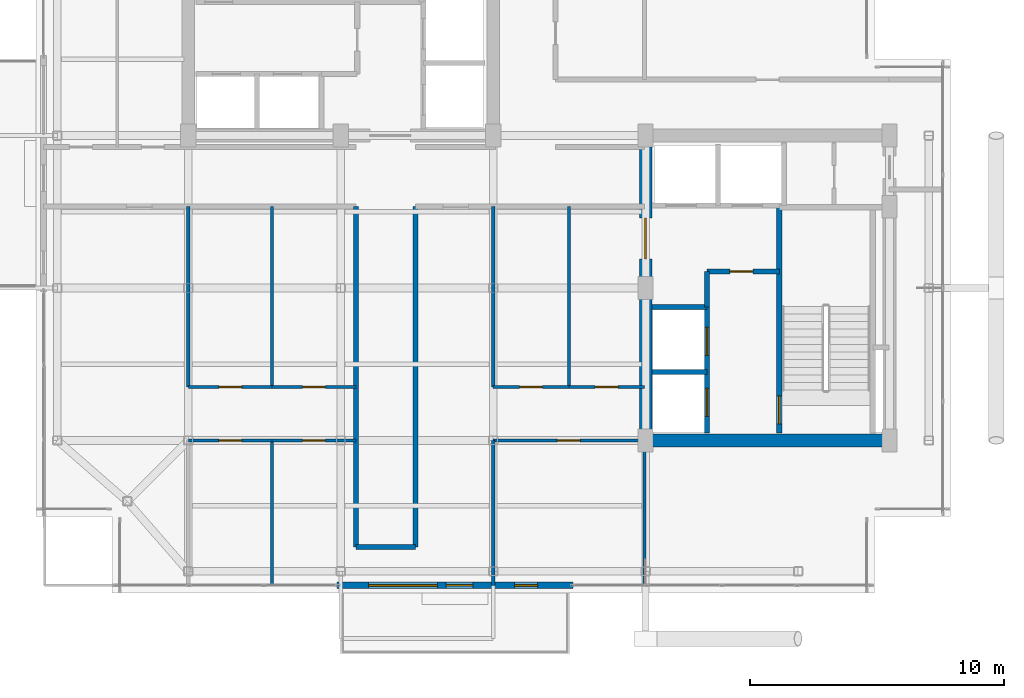
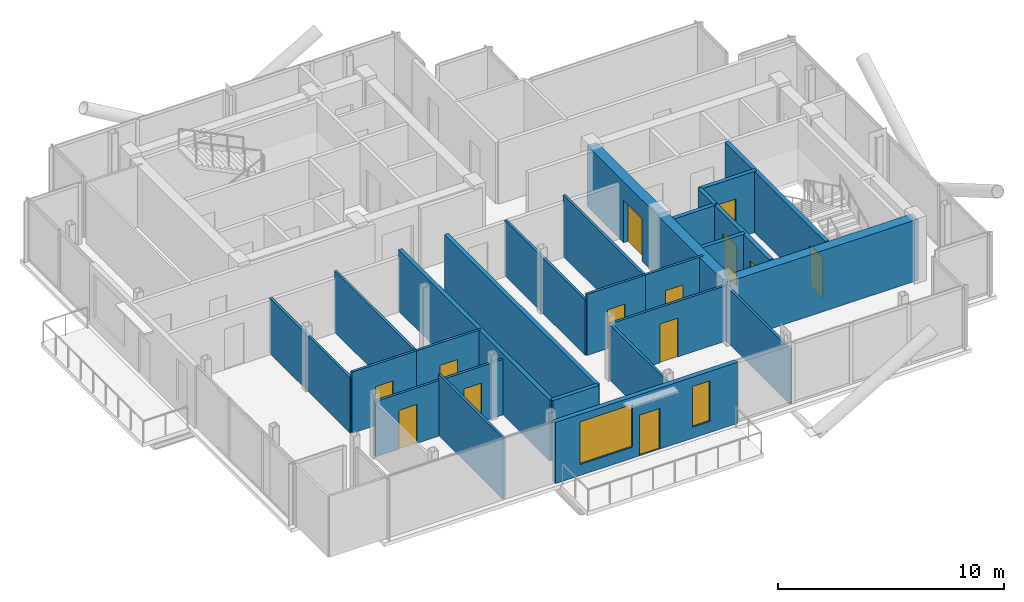
# One storey, part 14 of 18: 26 walls, 13 doors, 2 windows, 15 openings.
"""IFC4 building model written with IfcOpenShell, lengths in metres."""

import ifcopenshell
import ifcopenshell.guid

model = None  # the IFC model being written
_history = None  # IfcOwnerHistory: only IFC2X3 demands one
_inside = {}  # id of a spatial element -> (the spatial element, [elements in it])
_under = {}  # id of a project, library or spatial element -> (it, [spatial elements below it])
_declared = {}  # id of a project -> (the project, [libraries it declares])
_typed = {}  # id of a type object -> (the type object, [elements of that type])
_made_of = {}  # id of a material, layer set ... -> (it, [elements and type objects made of it])


def new_model(schema):
    """Start an empty IFC model of exactly this schema.

    Asked for "IFC4X3", IfcOpenShell would pick the latest addendum, in which some entities
    have other attributes; the version numbers below select the first issue.
    IFC2X3 requires an IfcOwnerHistory on every rooted entity: one is made here for all.
    """
    global model, _history
    if schema == "IFC4X3":
        model = ifcopenshell.file(schema_version=(4, 3, 0, 0))
    else:
        model = ifcopenshell.file(schema=schema)
    _inside.clear()
    _under.clear()
    _declared.clear()
    _typed.clear()
    _made_of.clear()
    _history = None
    if model.schema == "IFC2X3":
        org = make("IfcOrganization", Name="unknown")
        user = make(
            "IfcPersonAndOrganization",
            ThePerson=make("IfcPerson", FamilyName="unknown"),
            TheOrganization=org,
        )
        app = make(
            "IfcApplication",
            ApplicationDeveloper=org,
            Version="unknown",
            ApplicationFullName="unknown",
            ApplicationIdentifier="unknown",
        )
        _history = make(
            "IfcOwnerHistory",
            OwningUser=user,
            OwningApplication=app,
            ChangeAction="ADDED",
            CreationDate=0,
        )
    return model


def make(cls, **values):
    """One entity of the class cls with the attributes given. An attribute that is None is left unset."""
    return model.create_entity(
        cls, **{name: value for name, value in values.items() if value is not None}
    )


def rooted(cls, **values):
    """An entity with a GlobalId (a new one), such as an element, a storey or a relation."""
    return make(cls, GlobalId=ifcopenshell.guid.new(), OwnerHistory=_history, **values)


def si_unit(unit_type, name, prefix=None):
    """IfcSIUnit, for example si_unit("LENGTHUNIT", "METRE", prefix="MILLI")."""
    return make("IfcSIUnit", UnitType=unit_type, Prefix=prefix, Name=name)


def assignment(units):
    """IfcUnitAssignment: the units of a project."""
    return None if units is None else make("IfcUnitAssignment", Units=units)


def point(xyz):
    """IfcCartesianPoint."""
    return None if xyz is None else make("IfcCartesianPoint", Coordinates=xyz)


def direction(xyz):
    """IfcDirection."""
    return None if xyz is None else make("IfcDirection", DirectionRatios=xyz)


def frame(location, z_axis=None, x_axis=None):
    """IfcAxis2Placement3D, a coordinate frame: its origin and axes. An axis left out is left unset."""
    return make(
        "IfcAxis2Placement3D",
        Location=point(location),
        Axis=direction(z_axis),
        RefDirection=direction(x_axis),
    )


def frame_2d(location, x_axis=None):
    """IfcAxis2Placement2D, a coordinate frame in the plane: its origin and x axis."""
    return make(
        "IfcAxis2Placement2D", Location=point(location), RefDirection=direction(x_axis)
    )


def origin():
    """The frame at (0, 0, 0) with its axes left unset."""
    return frame((0.0, 0.0, 0.0))


def place(relative_to, where):
    """IfcLocalPlacement: puts the frame where relative to a parent placement (None: the world)."""
    return make(
        "IfcLocalPlacement", PlacementRelTo=relative_to, RelativePlacement=where
    )


def context(
    kind, dimensions, precision=None, world=None, true_north=None, identifier=None
):
    """IfcGeometricRepresentationContext, for example the 3D "Model" context."""
    return make(
        "IfcGeometricRepresentationContext",
        ContextIdentifier=identifier,
        ContextType=kind,
        CoordinateSpaceDimension=dimensions,
        Precision=precision,
        WorldCoordinateSystem=world,
        TrueNorth=true_north,
    )


def subcontext(parent, identifier, kind, view, scale=None):
    """IfcGeometricRepresentationSubContext, for example "Body" below "Model"."""
    return make(
        "IfcGeometricRepresentationSubContext",
        ContextIdentifier=identifier,
        ContextType=kind,
        ParentContext=parent,
        TargetScale=scale,
        TargetView=view,
    )


def project(units=None, contexts=None):
    """IfcProject with its units and contexts."""
    return rooted(
        "IfcProject",
        Name="project",
        RepresentationContexts=contexts,
        UnitsInContext=assignment(units),
    )


def spatial(cls, under=None, at=None, **own):
    """A site, building, storey or space (cls), placed at a placement, below another one or the project."""
    s = rooted(cls, ObjectPlacement=at, **own)
    if under is not None:
        _under.setdefault(under.id(), (under, []))[1].append(s)
    return s


def profile(cls, at=None, kind="AREA", **sizes):
    """A parametric profile (cls). Its sizes go by their IFC names, for example OverallWidth=200.0."""
    return make(cls, ProfileType=kind, Position=at, **sizes)


def rectangle(**sizes):
    """IfcRectangleProfileDef."""
    return profile("IfcRectangleProfileDef", **sizes)


def extrude(swept, where, along, depth):
    """IfcExtrudedAreaSolid: the profile swept, set in the frame where, extruded along a direction by depth."""
    return make(
        "IfcExtrudedAreaSolid",
        SweptArea=swept,
        Position=where,
        ExtrudedDirection=direction(along),
        Depth=depth,
    )


def shape(context_of_items, identifier, shape_type, items):
    """IfcShapeRepresentation: the items that make up one representation, for example the "Body"."""
    return make(
        "IfcShapeRepresentation",
        ContextOfItems=context_of_items,
        RepresentationIdentifier=identifier,
        RepresentationType=shape_type,
        Items=items,
    )


def material(Name=None, Category=None):
    """IfcMaterial."""
    return make("IfcMaterial", Name=Name, Category=Category)


def layer(
    of_material, thickness, ventilated=None, Name=None, Category=None, Priority=None
):
    """IfcMaterialLayer: one layer of a wall or slab, of a material (None: an air gap)."""
    return make(
        "IfcMaterialLayer",
        Material=of_material,
        LayerThickness=thickness,
        IsVentilated=ventilated,
        Name=Name,
        Category=Category,
        Priority=Priority,
    )


def layer_set(layers, Name=None):
    """IfcMaterialLayerSet."""
    return make("IfcMaterialLayerSet", MaterialLayers=layers, LayerSetName=Name)


def made_of(thing, what):
    """Note that an element or type object is made of a material, layer set ...; save() writes the relation."""
    if what is not None:
        _made_of.setdefault(what.id(), (what, []))[1].append(thing)
    return thing


def type_object(cls, material=None, **own):
    """A type object (cls), such as IfcWallType, which elements share."""
    return made_of(rooted(cls, **own), material)


def element(
    cls,
    number,
    at=None,
    inside=None,
    cuts=None,
    type_object=None,
    material=None,
    context=None,
    identifier="Body",
    shape_type=None,
    held_by="IfcProductDefinitionShape",
    body=None,
    shapes=None,
    **own,
):
    """One element of the class cls, such as IfcWall. Its Tag is "e" and its number.

    at: its placement. inside: the storey or other place that contains it. cuts: it is an
    opening in that element (IfcRelVoidsElement). A single representation is given by context,
    identifier, shape_type and body (its items); several are given by shapes. held_by: the class
    of the entity that holds the representations. save() writes the other relations.
    """
    e = rooted(cls, Tag="e%d" % number, ObjectPlacement=at, **own)
    if body is not None:
        shapes = [shape(context, identifier, shape_type, body)]
    if shapes is not None:
        e.Representation = make(held_by, Representations=shapes)
    if inside is not None:
        _inside.setdefault(inside.id(), (inside, []))[1].append(e)
    if cuts is not None:
        rooted(
            "IfcRelVoidsElement", RelatingBuildingElement=cuts, RelatedOpeningElement=e
        )
    if type_object is not None:
        _typed.setdefault(type_object.id(), (type_object, []))[1].append(e)
    return made_of(e, material)


def fill(opening, filler):
    """IfcRelFillsElement: the door or window that sits in an opening."""
    return rooted(
        "IfcRelFillsElement",
        RelatingOpeningElement=opening,
        RelatedBuildingElement=filler,
    )


def aggregate(whole, parts):
    """IfcRelAggregates: a whole, such as a stair, and the parts it consists of."""
    return rooted("IfcRelAggregates", RelatingObject=whole, RelatedObjects=parts)


def save(model, path):
    """Write the relations noted so far, then the file.

    IfcRelAggregates (storeys below a building ...), IfcRelContainedInSpatialStructure (elements
    in a storey), IfcRelDefinesByType, IfcRelAssociatesMaterial and IfcRelDeclares: one each for
    every whole, place, type object, material and project.
    """
    for whole, parts in _under.values():
        aggregate(whole, parts)
    for where, things in _inside.values():
        rooted(
            "IfcRelContainedInSpatialStructure",
            RelatedElements=things,
            RelatingStructure=where,
        )
    for kind, things in _typed.values():
        rooted("IfcRelDefinesByType", RelatedObjects=things, RelatingType=kind)
    for what, things in _made_of.values():
        rooted("IfcRelAssociatesMaterial", RelatedObjects=things, RelatingMaterial=what)
    for by, libraries in _declared.values():
        rooted("IfcRelDeclares", RelatingContext=by, RelatedDefinitions=libraries)
    model.write(path)


model = new_model("IFC4")

# Units and contexts
model_context = context("Model", 3, precision=1e-05, world=origin(), true_north=direction((0.0, 1.0)))
body_context = subcontext(model_context, "Body", "Model", "MODEL_VIEW")
ifc_project = project(units=[si_unit("LENGTHUNIT", "METRE"), si_unit("AREAUNIT", "SQUARE_METRE"), si_unit("VOLUMEUNIT", "CUBIC_METRE"), si_unit("PLANEANGLEUNIT", "RADIAN"), si_unit("MASSUNIT", "GRAM", prefix="KILO"), si_unit("THERMODYNAMICTEMPERATUREUNIT", "KELVIN"), si_unit("POWERUNIT", "WATT")], contexts=[model_context])

# Site, building, storey
site_placement = place(None, origin())
site = spatial("IfcSite", under=ifc_project, at=site_placement, CompositionType="ELEMENT")
building_placement = place(site_placement, origin())
building = spatial("IfcBuilding", under=site, at=building_placement, Name="Svarakhadi Broadcast Tower", CompositionType="ELEMENT")
storey_placement = place(building_placement, frame((0.0, 0.0, 253.699951171875)))
storey = spatial("IfcBuildingStorey", under=building, at=storey_placement, Name="L63", CompositionType="ELEMENT", Elevation=253.699951171875)

# Wall, openings, door, windows
ifc_material_1 = material(Name="Concrete C40/50 (IS 456 M50)", Category="concrete")
ifc_layer_1 = layer(ifc_material_1, 0.239990234375)
ifc_layer_set_1 = layer_set([ifc_layer_1], Name="Concrete C40/50 (IS 456 M50)")
wall_type_1 = type_object("IfcWallType", Name="Wall_Ext_240", PredefinedType="SOLIDWALL", material=ifc_layer_set_1)
wall_1_placement = place(storey_placement, frame((21.14501953125, 0.300048828125, 0.0), z_axis=(0.0, 0.0, 1.0), x_axis=(-1.0, 0.0, 0.0)))
wall_1 = element("IfcWall", 1, at=wall_1_placement, inside=storey, type_object=wall_type_1, Name="L63 South Tree Balcony Spandrel Wall", PredefinedType="SOLIDWALL", context=body_context, shape_type="SweptSolid", body=[
    extrude(rectangle(XDim=9.2900390625, YDim=0.239990234375, at=frame_2d((4.64501953125, 0.0))), origin(), (0.0, 0.0, 1.0), 3.300048828125),
])
opening_1_placement = place(wall_1_placement, frame((3.945068359375, 0.0, 0.0)))
opening_1 = element("IfcOpeningElement", 2, at=opening_1_placement, cuts=wall_1, Name="Opening ED-05", PredefinedType="OPENING", context=body_context, shape_type="SweptSolid", body=[
    extrude(rectangle(XDim=1.050048828125, YDim=2.199951171875, at=frame_2d((0.52490234375, 1.10009765625))), frame((0.0, 0.1298828125, 0.0), z_axis=(0.0, -1.0, 0.0), x_axis=(1.0, 0.0, 0.0)), (0.0, 0.0, 1.0), 0.260009765625),
])
opening_2_placement = place(wall_1_placement, frame((5.344970703125, 0.0, 0.60009765625)))
opening_2 = element("IfcOpeningElement", 3, at=opening_2_placement, cuts=wall_1, Name="Opening WN-07", PredefinedType="OPENING", context=body_context, shape_type="SweptSolid", body=[
    extrude(rectangle(XDim=2.699951171875, YDim=2.300048828125, at=frame_2d((1.35009765625, 1.14990234375))), frame((0.0, 0.1298828125, 0.0), z_axis=(0.0, -1.0, 0.0), x_axis=(1.0, 0.0, 0.0)), (0.0, 0.0, 1.0), 0.260009765625),
])
opening_3_placement = place(wall_1_placement, frame((1.39990234375, 0.0, 0.60009765625)))
opening_3 = element("IfcOpeningElement", 4, at=opening_3_placement, cuts=wall_1, Name="Opening WN-04", PredefinedType="OPENING", context=body_context, shape_type="SweptSolid", body=[
    extrude(rectangle(XDim=0.89990234375, YDim=2.199951171875, at=frame_2d((0.449951171875, 1.10009765625))), frame((0.0, 0.1298828125, 0.0), z_axis=(0.0, -1.0, 0.0), x_axis=(1.0, 0.0, 0.0)), (0.0, 0.0, 1.0), 0.260009765625),
])
ifc_material_2 = material(Name="Anodised Bronze Aluminium AA 6063-T6", Category="aluminium")
door_type_1 = type_object("IfcDoorType", Name="Door_Ext_ED05", OperationType="SINGLE_SWING_LEFT", PredefinedType="DOOR", material=ifc_material_2)
door_1_placement = place(opening_1_placement, origin())
door_1 = element("IfcDoor", 5, at=door_1_placement, inside=storey, type_object=door_type_1, Name="L63 South Tree Balcony Door", OperationType="SINGLE_SWING_LEFT", OverallHeight=2.199951171875, OverallWidth=1.050048828125, PredefinedType="DOOR", context=body_context, shape_type="SweptSolid", body=[
    extrude(rectangle(XDim=1.050048828125, YDim=2.199951171875, at=frame_2d((0.52490234375, 1.10009765625))), frame((0.0, 0.02490234375, 0.0), z_axis=(0.0, -1.0, 0.0), x_axis=(1.0, 0.0, 0.0)), (0.0, 0.0, 1.0), 0.050048828125),
])
fill(opening_1, door_1)
ifc_material_3 = material(Name="Double Low-E Laminated Acoustic Glass IGU 36 mm", Category="glass")
window_type_1 = type_object("IfcWindowType", Name="Win_Resi_WN07", PartitioningType="SINGLE_PANEL", PredefinedType="WINDOW", material=ifc_material_3)
window_1_placement = place(opening_2_placement, origin())
window_1 = element("IfcWindow", 6, at=window_1_placement, inside=storey, type_object=window_type_1, Name="L63 South Tree Balcony Window", OverallHeight=2.300048828125, OverallWidth=2.699951171875, PartitioningType="SINGLE_PANEL", PredefinedType="WINDOW", context=body_context, shape_type="SweptSolid", body=[
    extrude(rectangle(XDim=2.699951171875, YDim=2.300048828125, at=frame_2d((1.35009765625, 1.14990234375))), frame((0.0, 0.030029296875, 0.0), z_axis=(0.0, -1.0, 0.0), x_axis=(1.0, 0.0, 0.0)), (0.0, 0.0, 1.0), 0.06005859375),
])
fill(opening_2, window_1)
window_type_2 = type_object("IfcWindowType", Name="Win_Slot_WN04", PartitioningType="SINGLE_PANEL", PredefinedType="WINDOW", material=ifc_material_3)
window_2_placement = place(opening_3_placement, origin())
window_2 = element("IfcWindow", 7, at=window_2_placement, inside=storey, type_object=window_type_2, Name="L63 South Primary Bedroom Slot Window", OverallHeight=2.199951171875, OverallWidth=0.89990234375, PartitioningType="SINGLE_PANEL", PredefinedType="WINDOW", context=body_context, shape_type="SweptSolid", body=[
    extrude(rectangle(XDim=0.89990234375, YDim=2.199951171875, at=frame_2d((0.449951171875, 1.10009765625))), frame((0.0, 0.030029296875, 0.0), z_axis=(0.0, -1.0, 0.0), x_axis=(1.0, 0.0, 0.0)), (0.0, 0.0, 1.0), 0.06005859375),
])
fill(opening_3, window_2)

# Walls
ifc_layer_2 = layer(ifc_material_1, 0.199951171875)
ifc_layer_set_2 = layer_set([ifc_layer_2], Name="Concrete C40/50 (IS 456 M50)")
wall_type_2 = type_object("IfcWallType", Name="Wall_Fire_200", PredefinedType="SOLIDWALL", material=ifc_layer_set_2)
for number, where, z_axis, x_axis, name in (
    (8, (12.60009765625, 1.800048828125, 0.0), (0.0, 0.0, 1.0), (0.0, 1.0, 0.0), "L63 Upper Tower Concourse Wall"),
    (9, (14.949951171875, 15.199951171875, 0.0), (0.0, 0.0, 1.0), (0.0, -1.0, 0.0), "L63 Upper Tower Concourse Wall"),
):
    element("IfcWall", number, at=place(storey_placement, frame(where, z_axis=z_axis, x_axis=x_axis)), inside=storey, type_object=wall_type_2, Name=name, PredefinedType="SOLIDWALL", context=body_context, shape_type="SweptSolid", body=[
        extrude(rectangle(XDim=13.39990234375, YDim=0.199951171875, at=frame_2d((6.699951171875, 0.0))), origin(), (0.0, 0.0, 1.0), 3.300048828125),
    ])
wall_2_placement = place(storey_placement, frame((14.949951171875, 1.800048828125, 0.0), z_axis=(0.0, 0.0, 1.0), x_axis=(-1.0, 0.0, 0.0)))
element("IfcWall", 10, at=wall_2_placement, inside=storey, type_object=wall_type_2, Name="L63 Upper Tower Concourse Wall", PredefinedType="SOLIDWALL", context=body_context, shape_type="SweptSolid", body=[
    extrude(rectangle(XDim=2.349853515625, YDim=0.199951171875, at=frame_2d((1.1748046875, 0.0))), origin(), (0.0, 0.0, 1.0), 3.300048828125),
])

# Wall, opening, door
ifc_material_4 = material(Name="Fire-Rated Moisture-Resistant Gypsum Board Partition", Category="gypsum")
ifc_layer_3 = layer(ifc_material_4, 0.125)
ifc_layer_set_3 = layer_set([ifc_layer_3], Name="Fire-Rated Moisture-Resistant Gypsum Board Partition")
wall_type_3 = type_object("IfcWallType", Name="Wall_Part_125", PredefinedType="PARTITIONING", material=ifc_layer_set_3)
wall_3_placement = place(storey_placement, frame((6.0, 8.10009765625, 0.0), z_axis=(0.0, 0.0, 1.0), x_axis=(1.0, 0.0, 0.0)))
wall_3 = element("IfcWall", 11, at=wall_3_placement, inside=storey, type_object=wall_type_3, Name="L63 Apartment A Kitchen Wall", PredefinedType="PARTITIONING", context=body_context, shape_type="SweptSolid", body=[
    extrude(rectangle(XDim=3.300048828125, YDim=0.125, at=frame_2d((1.64990234375, 0.0))), origin(), (0.0, 0.0, 1.0), 3.300048828125),
])
opening_4_placement = place(wall_3_placement, frame((1.199951171875, 0.0, 0.0)))
opening_4 = element("IfcOpeningElement", 12, at=opening_4_placement, cuts=wall_3, Name="Opening D-14", PredefinedType="OPENING", context=body_context, shape_type="SweptSolid", body=[
    extrude(rectangle(XDim=0.89990234375, YDim=2.10009765625, at=frame_2d((0.449951171875, 1.050048828125))), frame((0.0, 0.072509765625, 0.0), z_axis=(0.0, -1.0, 0.0), x_axis=(1.0, 0.0, 0.0)), (0.0, 0.0, 1.0), 0.14501953125),
])
ifc_material_5 = material(Name="Solid-Core Teak Veneer Acoustic Timber Leaf", Category="wood")
door_type_2 = type_object("IfcDoorType", Name="Door_Int_D14", OperationType="SINGLE_SWING_LEFT", PredefinedType="DOOR", material=ifc_material_5)
door_2_placement = place(opening_4_placement, origin())
door_2 = element("IfcDoor", 13, at=door_2_placement, inside=storey, type_object=door_type_2, Name="L63 Apartment A Kitchen Door", OperationType="SINGLE_SWING_LEFT", OverallHeight=2.10009765625, OverallWidth=0.89990234375, PredefinedType="DOOR", context=body_context, shape_type="SweptSolid", body=[
    extrude(rectangle(XDim=0.89990234375, YDim=2.10009765625, at=frame_2d((0.449951171875, 1.050048828125))), frame((0.0, 0.02490234375, 0.0), z_axis=(0.0, -1.0, 0.0), x_axis=(1.0, 0.0, 0.0)), (0.0, 0.0, 1.0), 0.050048828125),
])
fill(opening_4, door_2)

# Walls
wall_4_placement = place(storey_placement, frame((6.0, 8.10009765625, 0.0), z_axis=(0.0, 0.0, 1.0), x_axis=(0.0, 1.0, 0.0)))
element("IfcWall", 14, at=wall_4_placement, inside=storey, type_object=wall_type_3, Name="L63 Apartment A Kitchen Wall", PredefinedType="PARTITIONING", context=body_context, shape_type="SweptSolid", body=[
    extrude(rectangle(XDim=7.099853515625, YDim=0.125, at=frame_2d((3.5498046875, 0.0))), origin(), (0.0, 0.0, 1.0), 2.991943359375),
])
wall_5_placement = place(storey_placement, frame((9.300048828125, 8.10009765625, 0.0), z_axis=(0.0, 0.0, 1.0), x_axis=(0.0, 1.0, 0.0)))
element("IfcWall", 15, at=wall_5_placement, inside=storey, type_object=wall_type_3, Name="L63 Apartment A Kitchen Wall", PredefinedType="PARTITIONING", context=body_context, shape_type="SweptSolid", body=[
    extrude(rectangle(XDim=7.099853515625, YDim=0.125, at=frame_2d((3.5498046875, 0.0))), origin(), (0.0, 0.0, 1.0), 3.300048828125),
])

# Wall, opening, door
wall_6_placement = place(storey_placement, frame((9.300048828125, 8.10009765625, 0.0), z_axis=(0.0, 0.0, 1.0), x_axis=(1.0, 0.0, 0.0)))
wall_6 = element("IfcWall", 16, at=wall_6_placement, inside=storey, type_object=wall_type_3, Name="L63 Apartment A Bathroom Wall", PredefinedType="PARTITIONING", context=body_context, shape_type="SweptSolid", body=[
    extrude(rectangle(XDim=3.300048828125, YDim=0.125, at=frame_2d((1.64990234375, 0.0))), origin(), (0.0, 0.0, 1.0), 3.300048828125),
])
opening_5_placement = place(wall_6_placement, frame((1.199951171875, 0.0, 0.0)))
opening_5 = element("IfcOpeningElement", 17, at=opening_5_placement, cuts=wall_6, Name="Opening D-13", PredefinedType="OPENING", context=body_context, shape_type="SweptSolid", body=[
    extrude(rectangle(XDim=0.89990234375, YDim=2.10009765625, at=frame_2d((0.449951171875, 1.050048828125))), frame((0.0, 0.072509765625, 0.0), z_axis=(0.0, -1.0, 0.0), x_axis=(1.0, 0.0, 0.0)), (0.0, 0.0, 1.0), 0.14501953125),
])
door_type_3 = type_object("IfcDoorType", Name="Door_Closet_D13", OperationType="SINGLE_SWING_RIGHT", PredefinedType="DOOR", material=ifc_material_5)
door_3_placement = place(opening_5_placement, origin())
door_3 = element("IfcDoor", 18, at=door_3_placement, inside=storey, type_object=door_type_3, Name="L63 Apartment A Bathroom Door", OperationType="SINGLE_SWING_RIGHT", OverallHeight=2.10009765625, OverallWidth=0.89990234375, PredefinedType="DOOR", context=body_context, shape_type="SweptSolid", body=[
    extrude(rectangle(XDim=0.89990234375, YDim=2.10009765625, at=frame_2d((0.449951171875, 1.050048828125))), frame((0.0, 0.02490234375, 0.0), z_axis=(0.0, -1.0, 0.0), x_axis=(1.0, 0.0, 0.0)), (0.0, 0.0, 1.0), 0.050048828125),
])
fill(opening_5, door_3)

wall_7_placement = place(storey_placement, frame((6.0, 6.0, 0.0), z_axis=(0.0, 0.0, 1.0), x_axis=(1.0, 0.0, 0.0)))
wall_7 = element("IfcWall", 19, at=wall_7_placement, inside=storey, type_object=wall_type_3, Name="L63 Apartment A Bedroom 1 Wall", PredefinedType="PARTITIONING", context=body_context, shape_type="SweptSolid", body=[
    extrude(rectangle(XDim=3.300048828125, YDim=0.125, at=frame_2d((1.64990234375, 0.0))), origin(), (0.0, 0.0, 1.0), 2.991943359375),
])
opening_6_placement = place(wall_7_placement, frame((1.199951171875, 0.0, 0.0)))
opening_6 = element("IfcOpeningElement", 20, at=opening_6_placement, cuts=wall_7, Name="Opening D-15", PredefinedType="OPENING", context=body_context, shape_type="SweptSolid", body=[
    extrude(rectangle(XDim=0.89990234375, YDim=2.10009765625, at=frame_2d((0.449951171875, 1.050048828125))), frame((0.0, 0.072509765625, 0.0), z_axis=(0.0, -1.0, 0.0), x_axis=(1.0, 0.0, 0.0)), (0.0, 0.0, 1.0), 0.14501953125),
])
door_type_4 = type_object("IfcDoorType", Name="Door_Int_D15", OperationType="SINGLE_SWING_RIGHT", PredefinedType="DOOR", material=ifc_material_5)
door_4_placement = place(opening_6_placement, origin())
door_4 = element("IfcDoor", 21, at=door_4_placement, inside=storey, type_object=door_type_4, Name="L63 Apartment A Bedroom 1 Door", OperationType="SINGLE_SWING_RIGHT", OverallHeight=2.10009765625, OverallWidth=0.89990234375, PredefinedType="DOOR", context=body_context, shape_type="SweptSolid", body=[
    extrude(rectangle(XDim=0.89990234375, YDim=2.10009765625, at=frame_2d((0.449951171875, 1.050048828125))), frame((0.0, 0.02490234375, 0.0), z_axis=(0.0, -1.0, 0.0), x_axis=(1.0, 0.0, 0.0)), (0.0, 0.0, 1.0), 0.050048828125),
])
fill(opening_6, door_4)

# Wall
wall_8_placement = place(storey_placement, frame((9.300048828125, 0.300048828125, 0.0), z_axis=(0.0, 0.0, 1.0), x_axis=(0.0, 1.0, 0.0)))
element("IfcWall", 22, at=wall_8_placement, inside=storey, type_object=wall_type_3, Name="L63 Apartment A Bedroom 1 Wall", PredefinedType="PARTITIONING", context=body_context, shape_type="SweptSolid", body=[
    extrude(rectangle(XDim=5.699951171875, YDim=0.125, at=frame_2d((2.85009765625, 0.0))), origin(), (0.0, 0.0, 1.0), 3.300048828125),
])

# Wall, opening, door
wall_9_placement = place(storey_placement, frame((9.300048828125, 6.0, 0.0), z_axis=(0.0, 0.0, 1.0), x_axis=(1.0, 0.0, 0.0)))
wall_9 = element("IfcWall", 23, at=wall_9_placement, inside=storey, type_object=wall_type_3, Name="L63 Apartment A Bedroom 2 Wall", PredefinedType="PARTITIONING", context=body_context, shape_type="SweptSolid", body=[
    extrude(rectangle(XDim=3.300048828125, YDim=0.125, at=frame_2d((1.64990234375, 0.0))), origin(), (0.0, 0.0, 1.0), 2.991943359375),
])
opening_7_placement = place(wall_9_placement, frame((1.199951171875, 0.0, 0.0)))
opening_7 = element("IfcOpeningElement", 24, at=opening_7_placement, cuts=wall_9, Name="Opening D-14", PredefinedType="OPENING", context=body_context, shape_type="SweptSolid", body=[
    extrude(rectangle(XDim=0.89990234375, YDim=2.10009765625, at=frame_2d((0.449951171875, 1.050048828125))), frame((0.0, 0.072509765625, 0.0), z_axis=(0.0, -1.0, 0.0), x_axis=(1.0, 0.0, 0.0)), (0.0, 0.0, 1.0), 0.14501953125),
])
door_5_placement = place(opening_7_placement, origin())
door_5 = element("IfcDoor", 25, at=door_5_placement, inside=storey, type_object=door_type_2, Name="L63 Apartment A Bedroom 2 Door", OperationType="SINGLE_SWING_LEFT", OverallHeight=2.10009765625, OverallWidth=0.89990234375, PredefinedType="DOOR", context=body_context, shape_type="SweptSolid", body=[
    extrude(rectangle(XDim=0.89990234375, YDim=2.10009765625, at=frame_2d((0.449951171875, 1.050048828125))), frame((0.0, 0.02490234375, 0.0), z_axis=(0.0, -1.0, 0.0), x_axis=(1.0, 0.0, 0.0)), (0.0, 0.0, 1.0), 0.050048828125),
])
fill(opening_7, door_5)

wall_10_placement = place(storey_placement, frame((18.0, 8.10009765625, 0.0), z_axis=(0.0, 0.0, 1.0), x_axis=(1.0, 0.0, 0.0)))
wall_10 = element("IfcWall", 26, at=wall_10_placement, inside=storey, type_object=wall_type_3, Name="L63 Apartment B Kitchen Wall", PredefinedType="PARTITIONING", context=body_context, shape_type="SweptSolid", body=[
    extrude(rectangle(XDim=2.97998046875, YDim=0.125, at=frame_2d((1.489990234375, 0.0))), origin(), (0.0, 0.0, 1.0), 3.300048828125),
])
opening_8_placement = place(wall_10_placement, frame((1.0400390625, 0.0, 0.0)))
opening_8 = element("IfcOpeningElement", 27, at=opening_8_placement, cuts=wall_10, Name="Opening D-14", PredefinedType="OPENING", context=body_context, shape_type="SweptSolid", body=[
    extrude(rectangle(XDim=0.89990234375, YDim=2.10009765625, at=frame_2d((0.449951171875, 1.050048828125))), frame((0.0, 0.072509765625, 0.0), z_axis=(0.0, -1.0, 0.0), x_axis=(1.0, 0.0, 0.0)), (0.0, 0.0, 1.0), 0.14501953125),
])
door_6_placement = place(opening_8_placement, origin())
door_6 = element("IfcDoor", 28, at=door_6_placement, inside=storey, type_object=door_type_2, Name="L63 Apartment B Kitchen Door", OperationType="SINGLE_SWING_LEFT", OverallHeight=2.10009765625, OverallWidth=0.89990234375, PredefinedType="DOOR", context=body_context, shape_type="SweptSolid", body=[
    extrude(rectangle(XDim=0.89990234375, YDim=2.10009765625, at=frame_2d((0.449951171875, 1.050048828125))), frame((0.0, 0.02490234375, 0.0), z_axis=(0.0, -1.0, 0.0), x_axis=(1.0, 0.0, 0.0)), (0.0, 0.0, 1.0), 0.050048828125),
])
fill(opening_8, door_6)

# Walls
wall_11_placement = place(storey_placement, frame((18.0, 8.10009765625, 0.0), z_axis=(0.0, 0.0, 1.0), x_axis=(0.0, 1.0, 0.0)))
element("IfcWall", 29, at=wall_11_placement, inside=storey, type_object=wall_type_3, Name="L63 Apartment B Kitchen Wall", PredefinedType="PARTITIONING", context=body_context, shape_type="SweptSolid", body=[
    extrude(rectangle(XDim=7.099853515625, YDim=0.125, at=frame_2d((3.5498046875, 0.0))), origin(), (0.0, 0.0, 1.0), 2.991943359375),
])
wall_12_placement = place(storey_placement, frame((20.97998046875, 8.10009765625, 0.0), z_axis=(0.0, 0.0, 1.0), x_axis=(0.0, 1.0, 0.0)))
element("IfcWall", 30, at=wall_12_placement, inside=storey, type_object=wall_type_3, Name="L63 Apartment B Kitchen Wall", PredefinedType="PARTITIONING", context=body_context, shape_type="SweptSolid", body=[
    extrude(rectangle(XDim=7.099853515625, YDim=0.125, at=frame_2d((3.5498046875, 0.0))), origin(), (0.0, 0.0, 1.0), 3.300048828125),
])

# Wall, opening, door
wall_13_placement = place(storey_placement, frame((20.97998046875, 8.10009765625, 0.0), z_axis=(0.0, 0.0, 1.0), x_axis=(1.0, 0.0, 0.0)))
wall_13 = element("IfcWall", 31, at=wall_13_placement, inside=storey, type_object=wall_type_3, Name="L63 Apartment B Bathroom Wall", PredefinedType="PARTITIONING", context=body_context, shape_type="SweptSolid", body=[
    extrude(rectangle(XDim=2.969970703125, YDim=0.125, at=frame_2d((1.48486328125, 0.0))), origin(), (0.0, 0.0, 1.0), 3.300048828125),
])
opening_9_placement = place(wall_13_placement, frame((1.034912109375, 0.0, 0.0)))
opening_9 = element("IfcOpeningElement", 32, at=opening_9_placement, cuts=wall_13, Name="Opening D-13", PredefinedType="OPENING", context=body_context, shape_type="SweptSolid", body=[
    extrude(rectangle(XDim=0.89990234375, YDim=2.10009765625, at=frame_2d((0.449951171875, 1.050048828125))), frame((0.0, 0.072509765625, 0.0), z_axis=(0.0, -1.0, 0.0), x_axis=(1.0, 0.0, 0.0)), (0.0, 0.0, 1.0), 0.14501953125),
])
door_7_placement = place(opening_9_placement, origin())
door_7 = element("IfcDoor", 33, at=door_7_placement, inside=storey, type_object=door_type_3, Name="L63 Apartment B Bathroom Door", OperationType="SINGLE_SWING_RIGHT", OverallHeight=2.10009765625, OverallWidth=0.89990234375, PredefinedType="DOOR", context=body_context, shape_type="SweptSolid", body=[
    extrude(rectangle(XDim=0.89990234375, YDim=2.10009765625, at=frame_2d((0.449951171875, 1.050048828125))), frame((0.0, 0.02490234375, 0.0), z_axis=(0.0, -1.0, 0.0), x_axis=(1.0, 0.0, 0.0)), (0.0, 0.0, 1.0), 0.050048828125),
])
fill(opening_9, door_7)

wall_14_placement = place(storey_placement, frame((18.0, 6.0, 0.0), z_axis=(0.0, 0.0, 1.0), x_axis=(1.0, 0.0, 0.0)))
wall_14 = element("IfcWall", 34, at=wall_14_placement, inside=storey, type_object=wall_type_3, Name="L63 Apartment B Primary Bedroom Wall", PredefinedType="PARTITIONING", context=body_context, shape_type="SweptSolid", body=[
    extrude(rectangle(XDim=5.949951171875, YDim=0.125, at=frame_2d((2.97509765625, 0.0))), origin(), (0.0, 0.0, 1.0), 2.991943359375),
])
opening_10_placement = place(wall_14_placement, frame((2.52490234375, 0.0, 0.0)))
opening_10 = element("IfcOpeningElement", 35, at=opening_10_placement, cuts=wall_14, Name="Opening D-14", PredefinedType="OPENING", context=body_context, shape_type="SweptSolid", body=[
    extrude(rectangle(XDim=0.89990234375, YDim=2.10009765625, at=frame_2d((0.449951171875, 1.050048828125))), frame((0.0, 0.072509765625, 0.0), z_axis=(0.0, -1.0, 0.0), x_axis=(1.0, 0.0, 0.0)), (0.0, 0.0, 1.0), 0.14501953125),
])
door_8_placement = place(opening_10_placement, origin())
door_8 = element("IfcDoor", 36, at=door_8_placement, inside=storey, type_object=door_type_2, Name="L63 Apartment B Bedroom Door", OperationType="SINGLE_SWING_LEFT", OverallHeight=2.10009765625, OverallWidth=0.89990234375, PredefinedType="DOOR", context=body_context, shape_type="SweptSolid", body=[
    extrude(rectangle(XDim=0.89990234375, YDim=2.10009765625, at=frame_2d((0.449951171875, 1.050048828125))), frame((0.0, 0.02490234375, 0.0), z_axis=(0.0, -1.0, 0.0), x_axis=(1.0, 0.0, 0.0)), (0.0, 0.0, 1.0), 0.050048828125),
])
fill(opening_10, door_8)

# Walls
wall_15_placement = place(storey_placement, frame((18.0, 0.300048828125, 0.0), z_axis=(0.0, 0.0, 1.0), x_axis=(0.0, 1.0, 0.0)))
element("IfcWall", 37, at=wall_15_placement, inside=storey, type_object=wall_type_3, Name="L63 Apartment B Primary Bedroom Wall", PredefinedType="PARTITIONING", context=body_context, shape_type="SweptSolid", body=[
    extrude(rectangle(XDim=5.699951171875, YDim=0.125, at=frame_2d((2.85009765625, 0.0))), origin(), (0.0, 0.0, 1.0), 2.991943359375),
])
wall_16_placement = place(storey_placement, frame((23.949951171875, 0.300048828125, 0.0), z_axis=(0.0, 0.0, 1.0), x_axis=(0.0, 1.0, 0.0)))
element("IfcWall", 38, at=wall_16_placement, inside=storey, type_object=wall_type_3, Name="L63 Apartment B Primary Bedroom Wall", PredefinedType="PARTITIONING", context=body_context, shape_type="SweptSolid", body=[
    extrude(rectangle(XDim=5.699951171875, YDim=0.125, at=frame_2d((2.85009765625, 0.0))), origin(), (0.0, 0.0, 1.0), 2.967041015625),
])

# Wall, opening, door
ifc_material_6 = material(Name="Concrete C50/60 (IS 456 M60)", Category="concrete")
ifc_layer_4 = layer(ifc_material_6, 0.199951171875)
ifc_layer_set_4 = layer_set([ifc_layer_4], Name="Concrete C50/60 (IS 456 M60)")
wall_type_4 = type_object("IfcWallType", Name="Wall_Shear_200", PredefinedType="SHEAR", material=ifc_layer_set_4)
wall_17_placement = place(storey_placement, frame((29.260009765625, 6.300048828125, 0.0), z_axis=(0.0, 0.0, 1.0), x_axis=(0.0, 1.0, 0.0)))
wall_17 = element("IfcWall", 39, at=wall_17_placement, inside=storey, type_object=wall_type_4, Name="L63 Stair ST-02 West RC Shaft Wall", PredefinedType="SHEAR", context=body_context, shape_type="SweptSolid", body=[
    extrude(rectangle(XDim=8.8798828125, YDim=0.199951171875, at=frame_2d((4.43994140625, 0.0))), origin(), (0.0, 0.0, 1.0), 3.300048828125),
])
opening_11_placement = place(wall_17_placement, frame((0.35009765625, 0.0, 0.0)))
opening_11 = element("IfcOpeningElement", 40, at=opening_11_placement, cuts=wall_17, Name="Opening D-02", PredefinedType="OPENING", context=body_context, shape_type="SweptSolid", body=[
    extrude(rectangle(XDim=1.10009765625, YDim=2.199951171875, at=frame_2d((0.550048828125, 1.10009765625))), frame((0.0, 0.10986328125, 0.0), z_axis=(0.0, -1.0, 0.0), x_axis=(1.0, 0.0, 0.0)), (0.0, 0.0, 1.0), 0.219970703125),
])
ifc_material_7 = material(Name="Galvanised Powder-Coated Fire-Rated Steel Leaf", Category="steel")
door_type_5 = type_object("IfcDoorType", Name="Door_Stair_D02", OperationType="SINGLE_SWING_RIGHT", PredefinedType="DOOR", material=ifc_material_7)
door_9_placement = place(opening_11_placement, origin())
door_9 = element("IfcDoor", 41, at=door_9_placement, inside=storey, type_object=door_type_5, Name="L63 Protected Exit Stair ST-02 Fire Door", OperationType="SINGLE_SWING_RIGHT", OverallHeight=2.199951171875, OverallWidth=1.10009765625, PredefinedType="DOOR", context=body_context, shape_type="SweptSolid", body=[
    extrude(rectangle(XDim=1.10009765625, YDim=2.199951171875, at=frame_2d((0.550048828125, 1.10009765625))), frame((0.0, 0.02490234375, 0.0), z_axis=(0.0, -1.0, 0.0), x_axis=(1.0, 0.0, 0.0)), (0.0, 0.0, 1.0), 0.050048828125),
])
fill(opening_11, door_9)

# Wall, openings, doors
wall_18_placement = place(storey_placement, frame((26.419921875, 6.300048828125, 0.0), z_axis=(0.0, 0.0, 1.0), x_axis=(0.0, 1.0, 0.0)))
wall_18 = element("IfcWall", 42, at=wall_18_placement, inside=storey, type_object=wall_type_4, Name="L63 Firefighting Lift LF-03/04 Shaft Wall", PredefinedType="SHEAR", context=body_context, shape_type="SweptSolid", body=[
    extrude(rectangle(XDim=4.949951171875, YDim=0.199951171875, at=frame_2d((2.47509765625, 0.0))), origin(), (0.0, 0.0, 1.0), 3.300048828125),
])
opening_12_placement = place(wall_18_placement, frame((0.64990234375, 0.0, 0.0)))
opening_12 = element("IfcOpeningElement", 43, at=opening_12_placement, cuts=wall_18, Name="Opening LD-01", PredefinedType="OPENING", context=body_context, shape_type="SweptSolid", body=[
    extrude(rectangle(XDim=1.10009765625, YDim=2.199951171875, at=frame_2d((0.550048828125, 1.10009765625))), frame((0.0, 0.10986328125, 0.0), z_axis=(0.0, -1.0, 0.0), x_axis=(1.0, 0.0, 0.0)), (0.0, 0.0, 1.0), 0.219970703125),
])
opening_13_placement = place(wall_18_placement, frame((3.050048828125, 0.0, 0.0)))
opening_13 = element("IfcOpeningElement", 44, at=opening_13_placement, cuts=wall_18, Name="Opening LD-01", PredefinedType="OPENING", context=body_context, shape_type="SweptSolid", body=[
    extrude(rectangle(XDim=1.10009765625, YDim=2.199951171875, at=frame_2d((0.550048828125, 1.10009765625))), frame((0.0, 0.10986328125, 0.0), z_axis=(0.0, -1.0, 0.0), x_axis=(1.0, 0.0, 0.0)), (0.0, 0.0, 1.0), 0.219970703125),
])
door_type_6 = type_object("IfcDoorType", Name="Door_Lift_LD01", OperationType="SLIDING_TO_LEFT", PredefinedType="DOOR", material=ifc_material_7)
door_10_placement = place(opening_12_placement, origin())
door_10 = element("IfcDoor", 45, at=door_10_placement, inside=storey, type_object=door_type_6, Name="L63 Firefighting Lift LF-03 Landing Door", OperationType="SLIDING_TO_LEFT", OverallHeight=2.199951171875, OverallWidth=1.10009765625, PredefinedType="DOOR", context=body_context, shape_type="SweptSolid", body=[
    extrude(rectangle(XDim=1.10009765625, YDim=2.199951171875, at=frame_2d((0.550048828125, 1.10009765625))), frame((0.0, 0.02490234375, 0.0), z_axis=(0.0, -1.0, 0.0), x_axis=(1.0, 0.0, 0.0)), (0.0, 0.0, 1.0), 0.050048828125),
])
fill(opening_12, door_10)
door_11_placement = place(opening_13_placement, origin())
door_11 = element("IfcDoor", 46, at=door_11_placement, inside=storey, type_object=door_type_6, Name="L63 Firefighting Lift LF-04 Landing Door", OperationType="SLIDING_TO_LEFT", OverallHeight=2.199951171875, OverallWidth=1.10009765625, PredefinedType="DOOR", context=body_context, shape_type="SweptSolid", body=[
    extrude(rectangle(XDim=1.10009765625, YDim=2.199951171875, at=frame_2d((0.550048828125, 1.10009765625))), frame((0.0, 0.02490234375, 0.0), z_axis=(0.0, -1.0, 0.0), x_axis=(1.0, 0.0, 0.0)), (0.0, 0.0, 1.0), 0.050048828125),
])
fill(opening_13, door_11)

# Walls
for number, where, z_axis, x_axis, name in (
    (47, (24.25, 8.699951171875, 0.0), (0.0, 0.0, 1.0), (1.0, 0.0, 0.0), "L63 Firefighting Lift LF-03/04 Divider Wall"),
    (48, (24.25, 11.25, 0.0), (0.0, 0.0, 1.0), (1.0, 0.0, 0.0), "L63 Firefighting Lift LF-04 North Wall"),
):
    element("IfcWall", number, at=place(storey_placement, frame(where, z_axis=z_axis, x_axis=x_axis)), inside=storey, type_object=wall_type_4, Name=name, PredefinedType="SHEAR", context=body_context, shape_type="SweptSolid", body=[
        extrude(rectangle(XDim=2.169921875, YDim=0.199951171875, at=frame_2d((1.0849609375, 0.0))), origin(), (0.0, 0.0, 1.0), 3.300048828125),
    ])
wall_19_placement = place(storey_placement, frame((26.419921875, 11.25, 0.0), z_axis=(0.0, 0.0, 1.0), x_axis=(0.0, 1.0, 0.0)))
element("IfcWall", 49, at=wall_19_placement, inside=storey, type_object=wall_type_4, Name="L63 East Firefighting Lobby West Wall", PredefinedType="SHEAR", context=body_context, shape_type="SweptSolid", body=[
    extrude(rectangle(XDim=1.39990234375, YDim=0.199951171875, at=frame_2d((0.699951171875, 0.0))), origin(), (0.0, 0.0, 1.0), 3.300048828125),
])

# Wall, opening, door
wall_20_placement = place(storey_placement, frame((26.419921875, 12.64990234375, 0.0), z_axis=(0.0, 0.0, 1.0), x_axis=(1.0, 0.0, 0.0)))
wall_20 = element("IfcWall", 50, at=wall_20_placement, inside=storey, type_object=wall_type_4, Name="L63 East Firefighting Lobby North Wall", PredefinedType="SHEAR", context=body_context, shape_type="SweptSolid", body=[
    extrude(rectangle(XDim=2.840087890625, YDim=0.199951171875, at=frame_2d((1.419921875, 0.0))), origin(), (0.0, 0.0, 1.0), 3.300048828125),
])
opening_14_placement = place(wall_20_placement, frame((0.89990234375, 0.0, 0.0)))
opening_14 = element("IfcOpeningElement", 51, at=opening_14_placement, cuts=wall_20, Name="Opening D-03", PredefinedType="OPENING", context=body_context, shape_type="SweptSolid", body=[
    extrude(rectangle(XDim=0.89990234375, YDim=2.14990234375, at=frame_2d((0.449951171875, 1.074951171875))), frame((0.0, 0.10986328125, 0.0), z_axis=(0.0, -1.0, 0.0), x_axis=(1.0, 0.0, 0.0)), (0.0, 0.0, 1.0), 0.219970703125),
])
door_type_7 = type_object("IfcDoorType", Name="Door_Fire_D03", OperationType="SINGLE_SWING_LEFT", PredefinedType="DOOR", material=ifc_material_7)
door_12_placement = place(opening_14_placement, origin())
door_12 = element("IfcDoor", 52, at=door_12_placement, inside=storey, type_object=door_type_7, Name="L63 East Firefighting Lobby Fire Door", OperationType="SINGLE_SWING_LEFT", OverallHeight=2.14990234375, OverallWidth=0.89990234375, PredefinedType="DOOR", context=body_context, shape_type="SweptSolid", body=[
    extrude(rectangle(XDim=0.89990234375, YDim=2.14990234375, at=frame_2d((0.449951171875, 1.074951171875))), frame((0.0, 0.02490234375, 0.0), z_axis=(0.0, -1.0, 0.0), x_axis=(1.0, 0.0, 0.0)), (0.0, 0.0, 1.0), 0.050048828125),
])
fill(opening_14, door_12)

# Wall
ifc_layer_5 = layer(ifc_material_6, 0.5)
ifc_layer_set_5 = layer_set([ifc_layer_5], Name="Concrete C50/60 (IS 456 M60)")
wall_type_5 = type_object("IfcWallType", Name="Wall_Shear_500", PredefinedType="SHEAR", material=ifc_layer_set_5)
wall_21_placement = place(storey_placement, frame((24.0, 6.0, 0.0), z_axis=(0.0, 0.0, 1.0), x_axis=(1.0, 0.0, 0.0)))
element("IfcWall", 53, at=wall_21_placement, inside=storey, type_object=wall_type_5, Name="L63 East Core South Shear Wall", PredefinedType="SHEAR", context=body_context, shape_type="SweptSolid", body=[
    extrude(rectangle(XDim=9.60009765625, YDim=0.5, at=frame_2d((4.800048828125, 0.0))), origin(), (0.0, 0.0, 1.0), 3.300048828125),
])

# Wall, opening, door
wall_22_placement = place(storey_placement, frame((24.0, 6.0, 0.0), z_axis=(0.0, 0.0, 1.0), x_axis=(0.0, 1.0, 0.0)))
wall_22 = element("IfcWall", 54, at=wall_22_placement, inside=storey, type_object=wall_type_5, Name="L63 East Core West Shear Wall", PredefinedType="SHEAR", context=body_context, shape_type="SweptSolid", body=[
    extrude(rectangle(XDim=12.0, YDim=0.5, at=frame_2d((6.0, 0.0))), origin(), (0.0, 0.0, 1.0), 3.300048828125),
])
opening_15_placement = place(wall_22_placement, frame((7.14990234375, 0.0, 0.0)))
opening_15 = element("IfcOpeningElement", 55, at=opening_15_placement, cuts=wall_22, Name="Opening D-05", PredefinedType="OPENING", context=body_context, shape_type="SweptSolid", body=[
    extrude(rectangle(XDim=1.60009765625, YDim=2.300048828125, at=frame_2d((0.800048828125, 1.14990234375))), frame((0.0, 0.260009765625, 0.0), z_axis=(0.0, -1.0, 0.0), x_axis=(1.0, 0.0, 0.0)), (0.0, 0.0, 1.0), 0.52001953125),
])
door_type_8 = type_object("IfcDoorType", Name="Door_Lobby_D05", OperationType="DOUBLE_DOOR_SLIDING", PredefinedType="DOOR", material=ifc_material_2)
door_13_placement = place(opening_15_placement, origin())
door_13 = element("IfcDoor", 56, at=door_13_placement, inside=storey, type_object=door_type_8, Name="L63 East Core Passenger Lift Lobby Entrance Door", OperationType="DOUBLE_DOOR_SLIDING", OverallHeight=2.300048828125, OverallWidth=1.60009765625, PredefinedType="DOOR", context=body_context, shape_type="SweptSolid", body=[
    extrude(rectangle(XDim=1.60009765625, YDim=2.300048828125, at=frame_2d((0.800048828125, 1.14990234375))), frame((0.0, 0.02490234375, 0.0), z_axis=(0.0, -1.0, 0.0), x_axis=(1.0, 0.0, 0.0)), (0.0, 0.0, 1.0), 0.050048828125),
])
fill(opening_15, door_13)

save(model, "model.ifc")
